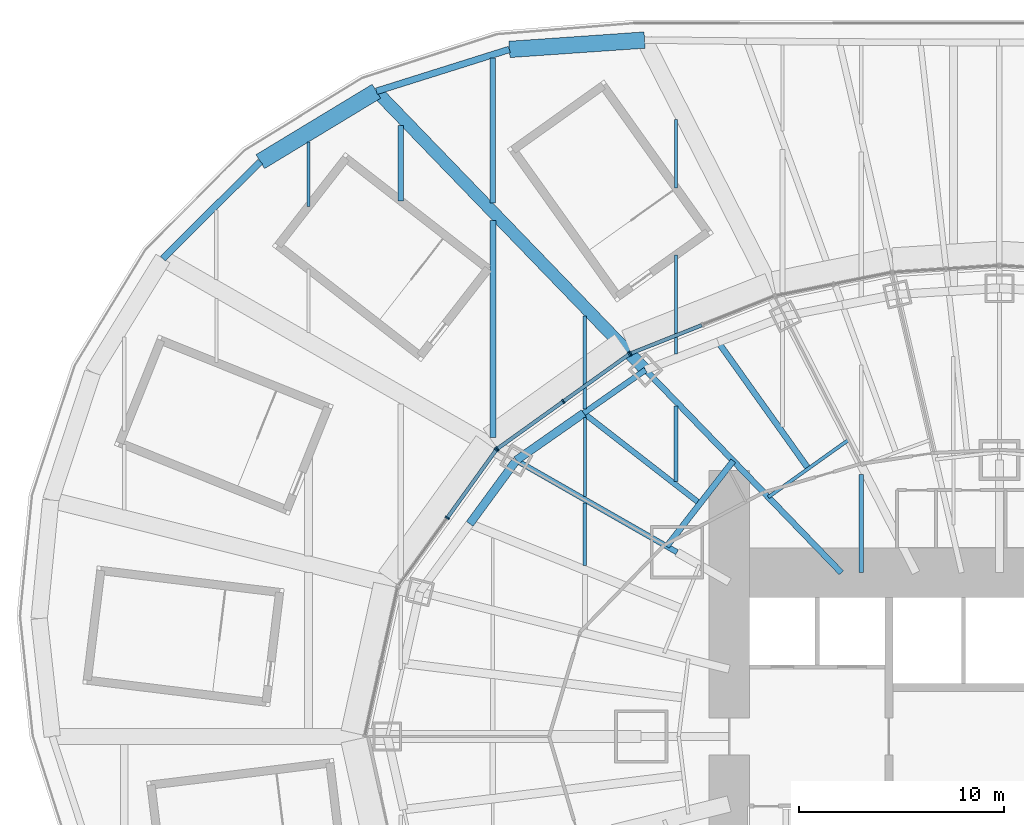
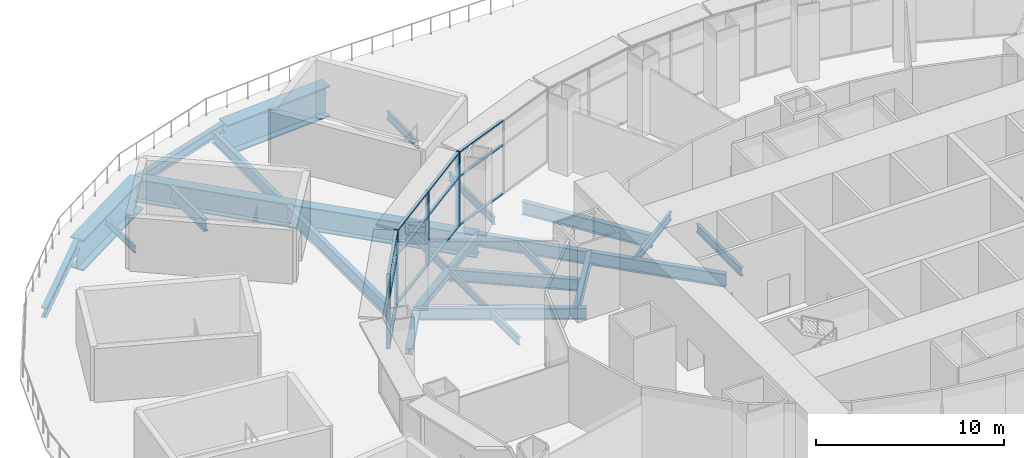
# One storey, part 6 of 25: 25 beams, 18 members, 3 elements without a shape of their own.
"""IFC4 building model written with IfcOpenShell, lengths in metres."""

import ifcopenshell
import ifcopenshell.guid

model = None  # the IFC model being written
_history = None  # IfcOwnerHistory: only IFC2X3 demands one
_inside = {}  # id of a spatial element -> (the spatial element, [elements in it])
_under = {}  # id of a project, library or spatial element -> (it, [spatial elements below it])
_declared = {}  # id of a project -> (the project, [libraries it declares])
_typed = {}  # id of a type object -> (the type object, [elements of that type])
_made_of = {}  # id of a material, layer set ... -> (it, [elements and type objects made of it])


def new_model(schema):
    """Start an empty IFC model of exactly this schema.

    Asked for "IFC4X3", IfcOpenShell would pick the latest addendum, in which some entities
    have other attributes; the version numbers below select the first issue.
    IFC2X3 requires an IfcOwnerHistory on every rooted entity: one is made here for all.
    """
    global model, _history
    if schema == "IFC4X3":
        model = ifcopenshell.file(schema_version=(4, 3, 0, 0))
    else:
        model = ifcopenshell.file(schema=schema)
    _inside.clear()
    _under.clear()
    _declared.clear()
    _typed.clear()
    _made_of.clear()
    _history = None
    if model.schema == "IFC2X3":
        org = make("IfcOrganization", Name="unknown")
        user = make(
            "IfcPersonAndOrganization",
            ThePerson=make("IfcPerson", FamilyName="unknown"),
            TheOrganization=org,
        )
        app = make(
            "IfcApplication",
            ApplicationDeveloper=org,
            Version="unknown",
            ApplicationFullName="unknown",
            ApplicationIdentifier="unknown",
        )
        _history = make(
            "IfcOwnerHistory",
            OwningUser=user,
            OwningApplication=app,
            ChangeAction="ADDED",
            CreationDate=0,
        )
    return model


def make(cls, **values):
    """One entity of the class cls with the attributes given. An attribute that is None is left unset."""
    return model.create_entity(
        cls, **{name: value for name, value in values.items() if value is not None}
    )


def rooted(cls, **values):
    """An entity with a GlobalId (a new one), such as an element, a storey or a relation."""
    return make(cls, GlobalId=ifcopenshell.guid.new(), OwnerHistory=_history, **values)


def si_unit(unit_type, name, prefix=None):
    """IfcSIUnit, for example si_unit("LENGTHUNIT", "METRE", prefix="MILLI")."""
    return make("IfcSIUnit", UnitType=unit_type, Prefix=prefix, Name=name)


def assignment(units):
    """IfcUnitAssignment: the units of a project."""
    return None if units is None else make("IfcUnitAssignment", Units=units)


def point(xyz):
    """IfcCartesianPoint."""
    return None if xyz is None else make("IfcCartesianPoint", Coordinates=xyz)


def direction(xyz):
    """IfcDirection."""
    return None if xyz is None else make("IfcDirection", DirectionRatios=xyz)


def frame(location, z_axis=None, x_axis=None):
    """IfcAxis2Placement3D, a coordinate frame: its origin and axes. An axis left out is left unset."""
    return make(
        "IfcAxis2Placement3D",
        Location=point(location),
        Axis=direction(z_axis),
        RefDirection=direction(x_axis),
    )


def frame_2d(location, x_axis=None):
    """IfcAxis2Placement2D, a coordinate frame in the plane: its origin and x axis."""
    return make(
        "IfcAxis2Placement2D", Location=point(location), RefDirection=direction(x_axis)
    )


def origin():
    """The frame at (0, 0, 0) with its axes left unset."""
    return frame((0.0, 0.0, 0.0))


def origin_2d():
    """The frame at (0, 0) in the plane with its x axis left unset."""
    return frame_2d((0.0, 0.0))


def place(relative_to, where):
    """IfcLocalPlacement: puts the frame where relative to a parent placement (None: the world)."""
    return make(
        "IfcLocalPlacement", PlacementRelTo=relative_to, RelativePlacement=where
    )


def context(
    kind, dimensions, precision=None, world=None, true_north=None, identifier=None
):
    """IfcGeometricRepresentationContext, for example the 3D "Model" context."""
    return make(
        "IfcGeometricRepresentationContext",
        ContextIdentifier=identifier,
        ContextType=kind,
        CoordinateSpaceDimension=dimensions,
        Precision=precision,
        WorldCoordinateSystem=world,
        TrueNorth=true_north,
    )


def subcontext(parent, identifier, kind, view, scale=None):
    """IfcGeometricRepresentationSubContext, for example "Body" below "Model"."""
    return make(
        "IfcGeometricRepresentationSubContext",
        ContextIdentifier=identifier,
        ContextType=kind,
        ParentContext=parent,
        TargetScale=scale,
        TargetView=view,
    )


def project(units=None, contexts=None):
    """IfcProject with its units and contexts."""
    return rooted(
        "IfcProject",
        Name="project",
        RepresentationContexts=contexts,
        UnitsInContext=assignment(units),
    )


def spatial(cls, under=None, at=None, **own):
    """A site, building, storey or space (cls), placed at a placement, below another one or the project."""
    s = rooted(cls, ObjectPlacement=at, **own)
    if under is not None:
        _under.setdefault(under.id(), (under, []))[1].append(s)
    return s


def profile(cls, at=None, kind="AREA", **sizes):
    """A parametric profile (cls). Its sizes go by their IFC names, for example OverallWidth=200.0."""
    return make(cls, ProfileType=kind, Position=at, **sizes)


def rectangle(**sizes):
    """IfcRectangleProfileDef."""
    return profile("IfcRectangleProfileDef", **sizes)


def i_section(**sizes):
    """IfcIShapeProfileDef."""
    return profile("IfcIShapeProfileDef", **sizes)


def extrude(swept, where, along, depth):
    """IfcExtrudedAreaSolid: the profile swept, set in the frame where, extruded along a direction by depth."""
    return make(
        "IfcExtrudedAreaSolid",
        SweptArea=swept,
        Position=where,
        ExtrudedDirection=direction(along),
        Depth=depth,
    )


def shape(context_of_items, identifier, shape_type, items):
    """IfcShapeRepresentation: the items that make up one representation, for example the "Body"."""
    return make(
        "IfcShapeRepresentation",
        ContextOfItems=context_of_items,
        RepresentationIdentifier=identifier,
        RepresentationType=shape_type,
        Items=items,
    )


def material(Name=None, Category=None):
    """IfcMaterial."""
    return make("IfcMaterial", Name=Name, Category=Category)


def material_profile(
    of_material, cross_section, Name=None, Category=None, Priority=None
):
    """IfcMaterialProfile: a cross section and its material."""
    return make(
        "IfcMaterialProfile",
        Name=Name,
        Material=of_material,
        Profile=cross_section,
        Priority=Priority,
        Category=Category,
    )


def profile_set(profiles, Name=None, composite=None):
    """IfcMaterialProfileSet."""
    return make(
        "IfcMaterialProfileSet",
        Name=Name,
        MaterialProfiles=profiles,
        CompositeProfile=composite,
    )


def made_of(thing, what):
    """Note that an element or type object is made of a material, layer set ...; save() writes the relation."""
    if what is not None:
        _made_of.setdefault(what.id(), (what, []))[1].append(thing)
    return thing


def type_object(cls, material=None, **own):
    """A type object (cls), such as IfcWallType, which elements share."""
    return made_of(rooted(cls, **own), material)


def element(
    cls,
    number,
    at=None,
    inside=None,
    cuts=None,
    type_object=None,
    material=None,
    context=None,
    identifier="Body",
    shape_type=None,
    held_by="IfcProductDefinitionShape",
    body=None,
    shapes=None,
    **own,
):
    """One element of the class cls, such as IfcWall. Its Tag is "e" and its number.

    at: its placement. inside: the storey or other place that contains it. cuts: it is an
    opening in that element (IfcRelVoidsElement). A single representation is given by context,
    identifier, shape_type and body (its items); several are given by shapes. held_by: the class
    of the entity that holds the representations. save() writes the other relations.
    """
    e = rooted(cls, Tag="e%d" % number, ObjectPlacement=at, **own)
    if body is not None:
        shapes = [shape(context, identifier, shape_type, body)]
    if shapes is not None:
        e.Representation = make(held_by, Representations=shapes)
    if inside is not None:
        _inside.setdefault(inside.id(), (inside, []))[1].append(e)
    if cuts is not None:
        rooted(
            "IfcRelVoidsElement", RelatingBuildingElement=cuts, RelatedOpeningElement=e
        )
    if type_object is not None:
        _typed.setdefault(type_object.id(), (type_object, []))[1].append(e)
    return made_of(e, material)


def aggregate(whole, parts):
    """IfcRelAggregates: a whole, such as a stair, and the parts it consists of."""
    return rooted("IfcRelAggregates", RelatingObject=whole, RelatedObjects=parts)


def save(model, path):
    """Write the relations noted so far, then the file.

    IfcRelAggregates (storeys below a building ...), IfcRelContainedInSpatialStructure (elements
    in a storey), IfcRelDefinesByType, IfcRelAssociatesMaterial and IfcRelDeclares: one each for
    every whole, place, type object, material and project.
    """
    for whole, parts in _under.values():
        aggregate(whole, parts)
    for where, things in _inside.values():
        rooted(
            "IfcRelContainedInSpatialStructure",
            RelatedElements=things,
            RelatingStructure=where,
        )
    for kind, things in _typed.values():
        rooted("IfcRelDefinesByType", RelatedObjects=things, RelatingType=kind)
    for what, things in _made_of.values():
        rooted("IfcRelAssociatesMaterial", RelatedObjects=things, RelatingMaterial=what)
    for by, libraries in _declared.values():
        rooted("IfcRelDeclares", RelatingContext=by, RelatedDefinitions=libraries)
    model.write(path)


model = new_model("IFC4")

# Units and contexts
model_context = context("Model", 3, precision=1e-05, world=origin(), true_north=direction((0.0, 1.0)))
body_context = subcontext(model_context, "Body", "Model", "MODEL_VIEW")
ifc_project = project(units=[si_unit("LENGTHUNIT", "METRE"), si_unit("AREAUNIT", "SQUARE_METRE"), si_unit("VOLUMEUNIT", "CUBIC_METRE"), si_unit("PLANEANGLEUNIT", "RADIAN"), si_unit("MASSUNIT", "GRAM", prefix="KILO")], contexts=[model_context])

# Site, building, storey
site_placement = place(None, origin())
site = spatial("IfcSite", under=ifc_project, at=site_placement, CompositionType="ELEMENT")
building_placement = place(site_placement, origin())
building = spatial("IfcBuilding", under=site, at=building_placement, Name="Lantaw Convention Tower", CompositionType="ELEMENT")
storey_placement = place(building_placement, frame((0.0, 0.0, 32.0)))
storey = spatial("IfcBuildingStorey", under=building, at=storey_placement, Name="L05", CompositionType="ELEMENT", Elevation=32.0)

# Beams
ifc_material_1 = material(Name="Steel ASTM A572 Grade 50", Category="steel")
ifc_material_profile_1 = material_profile(ifc_material_1, i_section(OverallWidth=0.800048828125, OverallDepth=2.0, WebThickness=0.030029296875, FlangeThickness=0.080078125, at=origin_2d()), Name="PG2000X800X30X80")
ifc_profile_set_1 = profile_set([ifc_material_profile_1], Name="Steel ASTM A572 Grade 50")
beam_type_1 = type_object("IfcBeamType", Name="Beam E PG2000X800X30X80", PredefinedType="SPANDREL", material=ifc_profile_set_1)
beam_1_placement = place(storey_placement, frame((-17.333984375, 34.019775390625, -1.199951171875), z_axis=(-0.997615470709, -0.069017190627, 0.0), x_axis=(0.069017190627, -0.997615470709, 0.0)))
element("IfcBeam", 1, at=beam_1_placement, inside=storey, type_object=beam_type_1, Name="Podium edge beam R08", PredefinedType="SPANDREL", context=body_context, shape_type="SweptSolid", body=[
    extrude(i_section(OverallWidth=0.800048828125, OverallDepth=2.0, WebThickness=0.030029296875, FlangeThickness=0.080078125, at=origin_2d()), origin(), (0.0, 0.0, 1.0), 6.6220703125),
])
beam_2_placement = place(storey_placement, frame((-30.43603515625, 31.517578125, -1.199951171875), z_axis=(-0.855269526547, -0.518183400893, 0.0), x_axis=(0.518183400893, -0.855269526547, 0.0)))
element("IfcBeam", 2, at=beam_2_placement, inside=storey, type_object=beam_type_1, Name="Podium edge beam R09", PredefinedType="SPANDREL", context=body_context, shape_type="SweptSolid", body=[
    extrude(i_section(OverallWidth=0.800048828125, OverallDepth=2.0, WebThickness=0.030029296875, FlangeThickness=0.080078125, at=origin_2d()), origin(), (0.0, 0.0, 1.0), 6.63134765625),
])
ifc_material_2 = material(Name="Steel ASTM A992", Category="steel")
ifc_material_profile_2 = material_profile(ifc_material_2, i_section(OverallWidth=0.40380859375, OverallDepth=0.406494140625, WebThickness=0.027099609375, FlangeThickness=0.043701171875, FilletRadius=0.01513671875, at=origin_2d()), Name="W14X233")
ifc_profile_set_2 = profile_set([ifc_material_profile_2], Name="Steel ASTM A992")
beam_type_2 = type_object("IfcBeamType", Name="Beam E W14X233", PredefinedType="SPANDREL", material=ifc_profile_set_2)
beam_3_placement = place(storey_placement, frame((-20.30859375, 15.794189453125, -0.4033203125), z_axis=(-0.819442856133, -0.573160889744, 0.0), x_axis=(0.573160889744, -0.819442856133, 0.0)))
element("IfcBeam", 3, at=beam_3_placement, inside=storey, type_object=beam_type_2, Name="Edge beam 10", PredefinedType="SPANDREL", context=body_context, shape_type="SweptSolid", body=[
    extrude(i_section(OverallWidth=0.40380859375, OverallDepth=0.406494140625, WebThickness=0.027099609375, FlangeThickness=0.043701171875, FilletRadius=0.01513671875, at=origin_2d()), origin(), (0.0, 0.0, 1.0), 4.022705078125),
])
beam_4_placement = place(storey_placement, frame((-23.60498046875, 13.488525390625, -0.4033203125), z_axis=(-0.591286566758, -0.806461527893, 0.0), x_axis=(0.806461527893, -0.591286566758, 0.0)))
element("IfcBeam", 4, at=beam_4_placement, inside=storey, type_object=beam_type_2, Name="Edge beam 11", PredefinedType="SPANDREL", context=body_context, shape_type="SweptSolid", body=[
    extrude(i_section(OverallWidth=0.40380859375, OverallDepth=0.406494140625, WebThickness=0.027099609375, FlangeThickness=0.043701171875, FilletRadius=0.01513671875, at=origin_2d()), origin(), (0.0, 0.0, 1.0), 3.843994140625),
])
ifc_material_profile_3 = material_profile(ifc_material_2, i_section(OverallWidth=0.279296875, OverallDepth=0.462158203125, WebThickness=0.0107421875, FlangeThickness=0.017333984375, FilletRadius=0.01025390625, at=origin_2d()), Name="W18X76")
ifc_profile_set_3 = profile_set([ifc_material_profile_3], Name="Steel ASTM A992")
beam_type_3 = type_object("IfcBeamType", Name="Beam E W18X76", PredefinedType="SPANDREL", material=ifc_profile_set_3)
beam_5_placement = place(storey_placement, frame((-17.290771484375, 17.9052734375, -0.43115234375), z_axis=(-0.819409395821, -0.573208724672, 0.0), x_axis=(0.573208724672, -0.819409395821, 0.0)))
element("IfcBeam", 5, at=beam_5_placement, inside=storey, type_object=beam_type_3, Name="Edge beam 10", PredefinedType="SPANDREL", context=body_context, shape_type="SweptSolid", body=[
    extrude(i_section(OverallWidth=0.279296875, OverallDepth=0.462158203125, WebThickness=0.0107421875, FlangeThickness=0.017333984375, FilletRadius=0.01025390625, at=origin_2d()), origin(), (0.0, 0.0, 1.0), 3.682861328125),
])
ifc_material_profile_4 = material_profile(ifc_material_2, i_section(OverallWidth=0.3251953125, OverallDepth=0.612060546875, WebThickness=0.0126953125, FlangeThickness=0.01904296875, FilletRadius=0.0126953125, at=origin_2d()), Name="W24X104")
ifc_profile_set_4 = profile_set([ifc_material_profile_4], Name="Steel ASTM A992")
beam_type_4 = type_object("IfcBeamType", Name="Beam E W24X104", PredefinedType="SPANDREL", material=ifc_profile_set_4)
beam_6_placement = place(storey_placement, frame((-23.940185546875, 33.562744140625, -0.506103515625), z_axis=(-0.953841834513, -0.300309431643, 0.0), x_axis=(0.300309431643, -0.953841834513, 0.0)))
element("IfcBeam", 6, at=beam_6_placement, inside=storey, type_object=beam_type_4, Name="Podium edge beam B08", PredefinedType="SPANDREL", context=body_context, shape_type="SweptSolid", body=[
    extrude(i_section(OverallWidth=0.3251953125, OverallDepth=0.612060546875, WebThickness=0.0126953125, FlangeThickness=0.01904296875, FilletRadius=0.0126953125, at=origin_2d()), origin(), (0.0, 0.0, 1.0), 6.810302734375),
])
beam_7_placement = place(storey_placement, frame((-36.107666015625, 28.081298828125, -0.506103515625), z_axis=(-0.709033046271, -0.705175254314, 0.0), x_axis=(0.705175254314, -0.709033046271, 0.0)))
element("IfcBeam", 7, at=beam_7_placement, inside=storey, type_object=beam_type_4, Name="Podium edge beam B09", PredefinedType="SPANDREL", context=body_context, shape_type="SweptSolid", body=[
    extrude(i_section(OverallWidth=0.3251953125, OverallDepth=0.612060546875, WebThickness=0.0126953125, FlangeThickness=0.01904296875, FilletRadius=0.0126953125, at=origin_2d()), origin(), (0.0, 0.0, 1.0), 6.708251953125),
])
ifc_material_profile_5 = material_profile(ifc_material_2, i_section(OverallWidth=0.2666015625, OverallDepth=0.76953125, WebThickness=0.015625, FlangeThickness=0.025390625, FilletRadius=0.0126953125, at=origin_2d()), Name="W30X132")
ifc_profile_set_5 = profile_set([ifc_material_profile_5], Name="Steel ASTM A992")
beam_type_5 = type_object("IfcBeamType", Name="Beam G W30X132", PredefinedType="BEAM", material=ifc_profile_set_5)
beam_8_placement = place(storey_placement, frame((-14.628173828125, 11.37646484375, -0.584716796875), z_axis=(-0.789377792374, 0.613907729961, 0.0), x_axis=(-0.613907729961, -0.789377792374, 0.0)))
element("IfcBeam", 8, at=beam_8_placement, inside=storey, type_object=beam_type_5, Name="Floor girder on bisector 10", PredefinedType="BEAM", context=body_context, shape_type="SweptSolid", body=[
    extrude(i_section(OverallWidth=0.2666015625, OverallDepth=0.76953125, WebThickness=0.015625, FlangeThickness=0.025390625, FilletRadius=0.0126953125, at=origin_2d()), origin(), (0.0, 0.0, 1.0), 7.196044921875),
])
beam_9_placement = place(storey_placement, frame((-15.75, 9.0, -0.584716796875), z_axis=(-0.868244802791, 0.496136032179, 0.0), x_axis=(-0.496136032179, -0.868244802791, 0.0)))
element("IfcBeam", 9, at=beam_9_placement, inside=storey, type_object=beam_type_5, Name="Floor girder on ray 11", PredefinedType="BEAM", context=body_context, shape_type="SweptSolid", body=[
    extrude(i_section(OverallWidth=0.2666015625, OverallDepth=0.76953125, WebThickness=0.015625, FlangeThickness=0.025390625, FilletRadius=0.0126953125, at=origin_2d()), origin(), (0.0, 0.0, 1.0), 9.046875),
])
ifc_material_profile_6 = material_profile(ifc_material_2, i_section(OverallWidth=0.2919921875, OverallDepth=0.845703125, WebThickness=0.015380859375, FlangeThickness=0.0244140625, FilletRadius=0.01513671875, at=origin_2d()), Name="W33X141")
ifc_profile_set_6 = profile_set([ifc_material_profile_6], Name="Steel ASTM A992")
beam_type_6 = type_object("IfcBeamType", Name="Beam G W33X141", PredefinedType="BEAM", material=ifc_profile_set_6)
beam_10_placement = place(storey_placement, frame((-9.335693359375, 13.088134765625, -0.622802734375), z_axis=(-0.580702805158, 0.814115625745, 0.0), x_axis=(-0.814115625745, -0.580702805158, 0.0)))
element("IfcBeam", 10, at=beam_10_placement, inside=storey, type_object=beam_type_6, Name="Floor girder on bisector 9", PredefinedType="BEAM", context=body_context, shape_type="SweptSolid", body=[
    extrude(i_section(OverallWidth=0.2919921875, OverallDepth=0.845703125, WebThickness=0.015380859375, FlangeThickness=0.0244140625, FilletRadius=0.01513671875, at=origin_2d()), origin(), (0.0, 0.0, 1.0), 7.59375),
])
beam_11_placement = place(storey_placement, frame((-7.7255859375, 8.0, -0.622802734375), z_axis=(-0.694649884291, 0.719347995239, 0.0), x_axis=(-0.719347995239, -0.694649884291, 0.0)))
element("IfcBeam", 11, at=beam_11_placement, inside=storey, type_object=beam_type_6, Name="Floor girder on ray 10", PredefinedType="BEAM", context=body_context, shape_type="SweptSolid", body=[
    extrude(i_section(OverallWidth=0.2919921875, OverallDepth=0.845703125, WebThickness=0.015380859375, FlangeThickness=0.0244140625, FilletRadius=0.01513671875, at=origin_2d()), origin(), (0.0, 0.0, 1.0), 13.769775390625),
])
ifc_material_profile_7 = material_profile(ifc_material_2, i_section(OverallWidth=0.1650390625, OverallDepth=0.52587890625, WebThickness=0.0087890625, FlangeThickness=0.011474609375, FilletRadius=0.0126953125, at=origin_2d()), Name="W21X44")
ifc_profile_set_7 = profile_set([ifc_material_profile_7], Name="Steel ASTM A992")
beam_type_7 = type_object("IfcBeamType", Name="Beam HC W21X44", PredefinedType="BEAM", material=ifc_profile_set_7)
beam_12_placement = place(storey_placement, frame((-7.379638671875, 14.4833984375, -0.462890625), z_axis=(-0.814110909588, -0.580709416912, 0.0), x_axis=(0.580709416912, -0.814110909588, 0.0)))
element("IfcBeam", 12, at=beam_12_placement, inside=storey, type_object=beam_type_7, Name="Collar beam on bisector 9", PredefinedType="BEAM", context=body_context, shape_type="SweptSolid", body=[
    extrude(i_section(OverallWidth=0.1650390625, OverallDepth=0.52587890625, WebThickness=0.0087890625, FlangeThickness=0.011474609375, FilletRadius=0.0126953125, at=origin_2d()), origin(), (0.0, 0.0, 1.0), 4.805419921875),
])
ifc_material_profile_8 = material_profile(ifc_material_2, i_section(OverallWidth=0.2919921875, OverallDepth=0.845703125, WebThickness=0.015380859375, FlangeThickness=0.0244140625, FilletRadius=0.01513671875, at=origin_2d()), Name="W33X141")
ifc_profile_set_8 = profile_set([ifc_material_profile_8], Name="Steel ASTM A992")
beam_type_8 = type_object("IfcBeamType", Name="Beam HC W33X141", PredefinedType="BEAM", material=ifc_profile_set_8)
beam_13_placement = place(storey_placement, frame((-13.00341796875, 13.465576171875, -0.622802734375), z_axis=(-0.613915067401, -0.789372085913, 0.0), x_axis=(0.789372085913, -0.613915067401, 0.0)))
element("IfcBeam", 13, at=beam_13_placement, inside=storey, type_object=beam_type_8, Name="Collar beam on bisector 10", PredefinedType="BEAM", context=body_context, shape_type="SweptSolid", body=[
    extrude(i_section(OverallWidth=0.2919921875, OverallDepth=0.845703125, WebThickness=0.015380859375, FlangeThickness=0.0244140625, FilletRadius=0.01513671875, at=origin_2d()), origin(), (0.0, 0.0, 1.0), 5.293212890625),
])
ifc_material_profile_9 = material_profile(ifc_material_2, i_section(OverallWidth=0.15234375, OverallDepth=0.449462890625, WebThickness=0.007568359375, FlangeThickness=0.0107421875, FilletRadius=0.01025390625, at=origin_2d()), Name="W18X35")
ifc_profile_set_9 = profile_set([ifc_material_profile_9], Name="Steel ASTM A992")
beam_type_9 = type_object("IfcBeamType", Name="Beam J W18X35", PredefinedType="JOIST", material=ifc_profile_set_9)
beam_14_placement = place(storey_placement, frame((-33.75, 25.900390625, -0.4248046875), z_axis=(0.0, 1.0, 0.0), x_axis=(-1.0, 0.0, 0.0)))
element("IfcBeam", 14, at=beam_14_placement, inside=storey, type_object=beam_type_9, Name="Floor joist", PredefinedType="JOIST", context=body_context, shape_type="SweptSolid", body=[
    extrude(i_section(OverallWidth=0.15234375, OverallDepth=0.449462890625, WebThickness=0.007568359375, FlangeThickness=0.0107421875, FilletRadius=0.01025390625, at=origin_2d()), origin(), (0.0, 0.0, 1.0), 3.1416015625),
])
beam_15_placement = place(storey_placement, frame((-20.25, 11.72509765625, -0.4248046875), z_axis=(0.0, 1.0, 0.0), x_axis=(-1.0, 0.0, 0.0)))
element("IfcBeam", 15, at=beam_15_placement, inside=storey, type_object=beam_type_9, Name="Floor joist", PredefinedType="JOIST", context=body_context, shape_type="SweptSolid", body=[
    extrude(i_section(OverallWidth=0.15234375, OverallDepth=0.449462890625, WebThickness=0.007568359375, FlangeThickness=0.0107421875, FilletRadius=0.01025390625, at=origin_2d()), origin(), (0.0, 0.0, 1.0), 3.8544921875),
])
ifc_material_profile_10 = material_profile(ifc_material_2, i_section(OverallWidth=0.1904296875, OverallDepth=0.457275390625, WebThickness=0.009033203125, FlangeThickness=0.014404296875, FilletRadius=0.01025390625, at=origin_2d()), Name="W18X50")
ifc_profile_set_10 = profile_set([ifc_material_profile_10], Name="Steel ASTM A992")
beam_type_10 = type_object("IfcBeamType", Name="Beam J W18X50", PredefinedType="JOIST", material=ifc_profile_set_10)
beam_16_placement = place(storey_placement, frame((-15.800048828125, 12.456787109375, -0.4287109375), z_axis=(0.0, 1.0, 0.0), x_axis=(-1.0, 0.0, 0.0)))
element("IfcBeam", 16, at=beam_16_placement, inside=storey, type_object=beam_type_10, Name="Floor joist", PredefinedType="JOIST", context=body_context, shape_type="SweptSolid", body=[
    extrude(i_section(OverallWidth=0.1904296875, OverallDepth=0.457275390625, WebThickness=0.009033203125, FlangeThickness=0.014404296875, FilletRadius=0.01025390625, at=origin_2d()), origin(), (0.0, 0.0, 1.0), 3.6943359375),
])
ifc_material_profile_11 = material_profile(ifc_material_2, i_section(OverallWidth=0.1650390625, OverallDepth=0.52587890625, WebThickness=0.0087890625, FlangeThickness=0.011474609375, FilletRadius=0.0126953125, at=origin_2d()), Name="W21X44")
ifc_profile_set_11 = profile_set([ifc_material_profile_11], Name="Steel ASTM A992")
beam_type_11 = type_object("IfcBeamType", Name="Beam J W21X44", PredefinedType="JOIST", material=ifc_profile_set_11)
beam_17_placement = place(storey_placement, frame((-20.25, 8.3564453125, -0.462890625), z_axis=(0.0, 1.0, 0.0), x_axis=(-1.0, 0.0, 0.0)))
element("IfcBeam", 17, at=beam_17_placement, inside=storey, type_object=beam_type_11, Name="Floor joist", PredefinedType="JOIST", context=body_context, shape_type="SweptSolid", body=[
    extrude(i_section(OverallWidth=0.1650390625, OverallDepth=0.52587890625, WebThickness=0.0087890625, FlangeThickness=0.011474609375, FilletRadius=0.0126953125, at=origin_2d()), origin(), (0.0, 0.0, 1.0), 3.0615234375),
])
beam_18_placement = place(storey_placement, frame((-20.25, 16.005859375, -0.462890625), z_axis=(0.0, 1.0, 0.0), x_axis=(-1.0, 0.0, 0.0)))
element("IfcBeam", 18, at=beam_18_placement, inside=storey, type_object=beam_type_11, Name="Floor joist", PredefinedType="JOIST", context=body_context, shape_type="SweptSolid", body=[
    extrude(i_section(OverallWidth=0.1650390625, OverallDepth=0.52587890625, WebThickness=0.0087890625, FlangeThickness=0.011474609375, FilletRadius=0.0126953125, at=origin_2d()), origin(), (0.0, 0.0, 1.0), 4.53173828125),
])
beam_19_placement = place(storey_placement, frame((-15.800048828125, 18.695556640625, -0.462890625), z_axis=(0.0, 1.0, 0.0), x_axis=(-1.0, 0.0, 0.0)))
element("IfcBeam", 19, at=beam_19_placement, inside=storey, type_object=beam_type_11, Name="Floor joist", PredefinedType="JOIST", context=body_context, shape_type="SweptSolid", body=[
    extrude(i_section(OverallWidth=0.1650390625, OverallDepth=0.52587890625, WebThickness=0.0087890625, FlangeThickness=0.011474609375, FilletRadius=0.0126953125, at=origin_2d()), origin(), (0.0, 0.0, 1.0), 4.828125),
])
ifc_material_profile_12 = material_profile(ifc_material_2, i_section(OverallWidth=0.165771484375, OverallDepth=0.5283203125, WebThickness=0.009765625, FlangeThickness=0.013671875, FilletRadius=0.012939453125, at=origin_2d()), Name="W21X50")
ifc_profile_set_12 = profile_set([ifc_material_profile_12], Name="Steel ASTM A992")
beam_type_12 = type_object("IfcBeamType", Name="Beam J W21X50", PredefinedType="JOIST", material=ifc_profile_set_12)
beam_20_placement = place(storey_placement, frame((-15.800048828125, 26.80029296875, -0.464111328125), z_axis=(0.0, 1.0, 0.0), x_axis=(-1.0, 0.0, 0.0)))
element("IfcBeam", 20, at=beam_20_placement, inside=storey, type_object=beam_type_12, Name="Floor joist", PredefinedType="JOIST", context=body_context, shape_type="SweptSolid", body=[
    extrude(i_section(OverallWidth=0.165771484375, OverallDepth=0.5283203125, WebThickness=0.009765625, FlangeThickness=0.013671875, FilletRadius=0.012939453125, at=origin_2d()), origin(), (0.0, 0.0, 1.0), 3.327880859375),
])
ifc_material_profile_13 = material_profile(ifc_material_2, i_section(OverallWidth=0.209228515625, OverallDepth=0.533447265625, WebThickness=0.01025390625, FlangeThickness=0.015625, FilletRadius=0.012939453125, at=origin_2d()), Name="W21X62")
ifc_profile_set_13 = profile_set([ifc_material_profile_13], Name="Steel ASTM A992")
beam_type_13 = type_object("IfcBeamType", Name="Beam J W21X62", PredefinedType="JOIST", material=ifc_profile_set_13)
beam_21_placement = place(storey_placement, frame((-6.75, 8.0, -0.466796875), z_axis=(0.0, 1.0, 0.0), x_axis=(-1.0, 0.0, 0.0)))
element("IfcBeam", 21, at=beam_21_placement, inside=storey, type_object=beam_type_13, Name="Floor joist", PredefinedType="JOIST", context=body_context, shape_type="SweptSolid", body=[
    extrude(i_section(OverallWidth=0.209228515625, OverallDepth=0.533447265625, WebThickness=0.01025390625, FlangeThickness=0.015625, FilletRadius=0.012939453125, at=origin_2d()), origin(), (0.0, 0.0, 1.0), 4.808349609375),
])
ifc_material_profile_14 = material_profile(ifc_material_2, i_section(OverallWidth=0.2666015625, OverallDepth=0.7568359375, WebThickness=0.013916015625, FlangeThickness=0.019287109375, FilletRadius=0.0126953125, at=origin_2d()), Name="W30X108")
ifc_profile_set_14 = profile_set([ifc_material_profile_14], Name="Steel ASTM A992")
beam_type_14 = type_object("IfcBeamType", Name="Beam J W30X108", PredefinedType="JOIST", material=ifc_profile_set_14)
beam_22_placement = place(storey_placement, frame((-24.75, 26.061279296875, -0.578369140625), z_axis=(0.0, 1.0, 0.0), x_axis=(-1.0, 0.0, 0.0)))
element("IfcBeam", 22, at=beam_22_placement, inside=storey, type_object=beam_type_14, Name="Floor joist", PredefinedType="JOIST", context=body_context, shape_type="SweptSolid", body=[
    extrude(i_section(OverallWidth=0.2666015625, OverallDepth=0.7568359375, WebThickness=0.013916015625, FlangeThickness=0.019287109375, FilletRadius=0.0126953125, at=origin_2d()), origin(), (0.0, 0.0, 1.0), 7.076171875),
])
ifc_material_profile_15 = material_profile(ifc_material_2, i_section(OverallWidth=0.2666015625, OverallDepth=0.76953125, WebThickness=0.015625, FlangeThickness=0.025390625, FilletRadius=0.0126953125, at=origin_2d()), Name="W30X132")
ifc_profile_set_15 = profile_set([ifc_material_profile_15], Name="Steel ASTM A992")
beam_type_15 = type_object("IfcBeamType", Name="Beam J W30X132", PredefinedType="JOIST", material=ifc_profile_set_15)
beam_23_placement = place(storey_placement, frame((-29.25, 26.16845703125, -0.584716796875), z_axis=(0.0, 1.0, 0.0), x_axis=(-1.0, 0.0, 0.0)))
element("IfcBeam", 23, at=beam_23_placement, inside=storey, type_object=beam_type_15, Name="Floor joist", PredefinedType="JOIST", context=body_context, shape_type="SweptSolid", body=[
    extrude(i_section(OverallWidth=0.2666015625, OverallDepth=0.76953125, WebThickness=0.015625, FlangeThickness=0.025390625, FilletRadius=0.0126953125, at=origin_2d()), origin(), (0.0, 0.0, 1.0), 3.68896484375),
])
ifc_material_profile_16 = material_profile(ifc_material_2, i_section(OverallWidth=0.2919921875, OverallDepth=0.845703125, WebThickness=0.015380859375, FlangeThickness=0.0244140625, FilletRadius=0.01513671875, at=origin_2d()), Name="W33X141")
ifc_profile_set_16 = profile_set([ifc_material_profile_16], Name="Steel ASTM A992")
beam_type_16 = type_object("IfcBeamType", Name="Beam J W33X141", PredefinedType="JOIST", material=ifc_profile_set_16)
beam_24_placement = place(storey_placement, frame((-24.75, 14.603515625, -0.622802734375), z_axis=(0.0, 1.0, 0.0), x_axis=(-1.0, 0.0, 0.0)))
element("IfcBeam", 24, at=beam_24_placement, inside=storey, type_object=beam_type_16, Name="Floor joist", PredefinedType="JOIST", context=body_context, shape_type="SweptSolid", body=[
    extrude(i_section(OverallWidth=0.2919921875, OverallDepth=0.845703125, WebThickness=0.015380859375, FlangeThickness=0.0244140625, FilletRadius=0.01513671875, at=origin_2d()), origin(), (0.0, 0.0, 1.0), 10.593994140625),
])
ifc_material_profile_17 = material_profile(ifc_material_1, i_section(OverallWidth=0.60009765625, OverallDepth=1.5, WebThickness=0.02490234375, FlangeThickness=0.06005859375, at=origin_2d()), Name="PG1500X600X25X60")
ifc_profile_set_17 = profile_set([ifc_material_profile_17], Name="Steel ASTM A572 Grade 50")
beam_type_17 = type_object("IfcBeamType", Name="Beam PG PG1500X600X25X60", PredefinedType="BEAM", material=ifc_profile_set_17)
beam_25_placement = place(storey_placement, frame((-17.290771484375, 17.9052734375, -0.949951171875), z_axis=(-0.694658748795, 0.719339434984, 0.0), x_axis=(-0.719339434984, -0.694658748795, 0.0)))
element("IfcBeam", 25, at=beam_25_placement, inside=storey, type_object=beam_type_17, Name="Podium girder PR10", PredefinedType="BEAM", context=body_context, shape_type="SweptSolid", body=[
    extrude(i_section(OverallWidth=0.60009765625, OverallDepth=1.5, WebThickness=0.02490234375, FlangeThickness=0.06005859375, at=origin_2d()), origin(), (0.0, 0.0, 1.0), 18.92333984375),
])

# Curtain wall, member
ifc_material_3 = material(Name="Aluminium framed curtain wall", Category="aluminium")
curtain_wall_type = type_object("IfcCurtainWallType", Name="Sky lobby curtain wall L05, pale aluminium", PredefinedType="USERDEFINED", material=ifc_material_3)
curtain_wall_1_placement = place(storey_placement, origin())
curtain_wall_1 = element("IfcCurtainWall", 26, at=curtain_wall_1_placement, inside=storey, type_object=curtain_wall_type, Name="Sky lobby curtain wall L05, pale aluminium L05", ObjectType="STICK CURTAIN WALL", PredefinedType="USERDEFINED")
ifc_material_4 = material(Name="Aluminium 6063-T6", Category="aluminium")
ifc_material_profile_18 = material_profile(ifc_material_4, rectangle(XDim=0.22509765625, YDim=0.074951171875, at=origin_2d()), Name="CW-HL mullion 75x225")
ifc_profile_set_18 = profile_set([ifc_material_profile_18], Name="Aluminium 6063-T6")
member_type_1 = type_object("IfcMemberType", Name="CW-HL mullion 75x225", PredefinedType="MULLION", material=ifc_profile_set_18)
member_1_placement = place(storey_placement, frame((-18.02001953125, 18.710205078125, 0.0), z_axis=(0.0, 0.0, 1.0), x_axis=(0.369171840425, -0.929361152748, 0.0)))
member_1 = element("IfcMember", 27, at=member_1_placement, type_object=member_type_1, Name="CW-HL mullion 3", PredefinedType="MULLION", context=body_context, shape_type="SweptSolid", body=[
    extrude(rectangle(XDim=0.22509765625, YDim=0.074951171875, at=origin_2d()), origin(), (0.0, 0.0, 1.0), 4.85009765625),
])

# Curtain wall, members
curtain_wall_2_placement = place(storey_placement, origin())
curtain_wall_2 = element("IfcCurtainWall", 28, at=curtain_wall_2_placement, inside=storey, type_object=curtain_wall_type, Name="Sky lobby curtain wall L05, pale aluminium L05", ObjectType="STICK CURTAIN WALL", PredefinedType="USERDEFINED")
member_2_placement = place(storey_placement, frame((-18.08544921875, 18.674560546875, 0.0), z_axis=(0.0, 0.0, 1.0), x_axis=(0.5825376308, -0.812803733199, 0.0)))
member_2 = element("IfcMember", 29, at=member_2_placement, type_object=member_type_1, Name="CW-HL mullion 1", PredefinedType="MULLION", context=body_context, shape_type="SweptSolid", body=[
    extrude(rectangle(XDim=0.22509765625, YDim=0.074951171875, at=origin_2d()), origin(), (0.0, 0.0, 1.0), 4.85009765625),
])
member_3_placement = place(storey_placement, frame((-21.307373046875, 16.365478515625, 0.0), z_axis=(0.0, 0.0, 1.0), x_axis=(0.5825376308, -0.812803733199, 0.0)))
member_3 = element("IfcMember", 30, at=member_3_placement, type_object=member_type_1, Name="CW-HL mullion 2", PredefinedType="MULLION", context=body_context, shape_type="SweptSolid", body=[
    extrude(rectangle(XDim=0.22509765625, YDim=0.074951171875, at=origin_2d()), origin(), (0.0, 0.0, 1.0), 4.85009765625),
])
member_4_placement = place(storey_placement, frame((-24.529541015625, 14.05615234375, 0.0), z_axis=(0.0, 0.0, 1.0), x_axis=(0.5825376308, -0.812803733199, 0.0)))
member_4 = element("IfcMember", 31, at=member_4_placement, type_object=member_type_1, Name="CW-HL mullion 3", PredefinedType="MULLION", context=body_context, shape_type="SweptSolid", body=[
    extrude(rectangle(XDim=0.22509765625, YDim=0.074951171875, at=origin_2d()), origin(), (0.0, 0.0, 1.0), 4.85009765625),
])

curtain_wall_3_placement = place(storey_placement, origin())
curtain_wall_3 = element("IfcCurtainWall", 32, at=curtain_wall_3_placement, inside=storey, type_object=curtain_wall_type, Name="Sky lobby curtain wall L05, pale aluminium L05", ObjectType="STICK CURTAIN WALL", PredefinedType="USERDEFINED")
member_5_placement = place(storey_placement, frame((-24.581787109375, 14.00390625, 0.0), z_axis=(0.0, 0.0, 1.0), x_axis=(0.811788726895, -0.583951250436, 0.0)))
member_5 = element("IfcMember", 33, at=member_5_placement, type_object=member_type_1, Name="CW-HL mullion 1", PredefinedType="MULLION", context=body_context, shape_type="SweptSolid", body=[
    extrude(rectangle(XDim=0.22509765625, YDim=0.074951171875, at=origin_2d()), origin(), (0.0, 0.0, 1.0), 4.85009765625),
])
member_6_placement = place(storey_placement, frame((-26.97265625, 10.680419921875, 0.0), z_axis=(0.0, 0.0, 1.0), x_axis=(0.811788726895, -0.583951250436, 0.0)))
member_6 = element("IfcMember", 34, at=member_6_placement, type_object=member_type_1, Name="CW-HL mullion 2", PredefinedType="MULLION", context=body_context, shape_type="SweptSolid", body=[
    extrude(rectangle(XDim=0.22509765625, YDim=0.074951171875, at=origin_2d()), origin(), (0.0, 0.0, 1.0), 4.85009765625),
])

# Member
ifc_material_profile_19 = material_profile(ifc_material_4, rectangle(XDim=0.179931640625, YDim=0.074951171875, at=origin_2d()), Name="CW-HL transom 75x180")
ifc_profile_set_19 = profile_set([ifc_material_profile_19], Name="Aluminium 6063-T6")
member_type_2 = type_object("IfcMemberType", Name="CW-HL transom 75x180", PredefinedType="USERDEFINED", material=ifc_profile_set_19)
member_7_placement = place(storey_placement, frame((-14.543212890625, 20.09130859375, 0.03759765625), z_axis=(-0.929374081901, -0.369139290634, 0.0), x_axis=(0.369139290634, -0.929374081901, 0.0)))
member_7 = element("IfcMember", 35, at=member_7_placement, type_object=member_type_2, Name="CW-HL transom 2.1", ObjectType="TRANSOM", PredefinedType="USERDEFINED", context=body_context, shape_type="SweptSolid", body=[
    extrude(rectangle(XDim=0.179931640625, YDim=0.074951171875, at=origin_2d()), origin(), (0.0, 0.0, 1.0), 3.70361328125),
])

member_8_placement = place(storey_placement, frame((-14.543212890625, 20.09130859375, 3.199951171875), z_axis=(-0.929374081901, -0.369139290634, 0.0), x_axis=(0.369139290634, -0.929374081901, 0.0)))
member_8 = element("IfcMember", 36, at=member_8_placement, type_object=member_type_2, Name="CW-HL transom 2.2", ObjectType="TRANSOM", PredefinedType="USERDEFINED", context=body_context, shape_type="SweptSolid", body=[
    extrude(rectangle(XDim=0.179931640625, YDim=0.074951171875, at=origin_2d()), origin(), (0.0, 0.0, 1.0), 3.70361328125),
])

member_9_placement = place(storey_placement, frame((-14.543212890625, 20.09130859375, 4.8125), z_axis=(-0.929374081901, -0.369139290634, 0.0), x_axis=(0.369139290634, -0.929374081901, 0.0)))
member_9 = element("IfcMember", 37, at=member_9_placement, type_object=member_type_2, Name="CW-HL transom 2.3", ObjectType="TRANSOM", PredefinedType="USERDEFINED", context=body_context, shape_type="SweptSolid", body=[
    extrude(rectangle(XDim=0.179931640625, YDim=0.074951171875, at=origin_2d()), origin(), (0.0, 0.0, 1.0), 3.70361328125),
])

aggregate(curtain_wall_1, [member_1, member_7, member_8, member_9])

member_10_placement = place(storey_placement, frame((-18.115966796875, 18.65283203125, 0.03759765625), z_axis=(-0.812799293767, -0.582543825005, 0.0), x_axis=(0.582543825005, -0.812799293767, 0.0)))
member_10 = element("IfcMember", 38, at=member_10_placement, type_object=member_type_2, Name="CW-HL transom 1.1", ObjectType="TRANSOM", PredefinedType="USERDEFINED", context=body_context, shape_type="SweptSolid", body=[
    extrude(rectangle(XDim=0.179931640625, YDim=0.074951171875, at=origin_2d()), origin(), (0.0, 0.0, 1.0), 3.88916015625),
])

member_11_placement = place(storey_placement, frame((-18.115966796875, 18.65283203125, 3.199951171875), z_axis=(-0.812799293767, -0.582543825005, 0.0), x_axis=(0.582543825005, -0.812799293767, 0.0)))
member_11 = element("IfcMember", 39, at=member_11_placement, type_object=member_type_2, Name="CW-HL transom 1.2", ObjectType="TRANSOM", PredefinedType="USERDEFINED", context=body_context, shape_type="SweptSolid", body=[
    extrude(rectangle(XDim=0.179931640625, YDim=0.074951171875, at=origin_2d()), origin(), (0.0, 0.0, 1.0), 3.88916015625),
])

member_12_placement = place(storey_placement, frame((-18.115966796875, 18.65283203125, 4.8125), z_axis=(-0.812799293767, -0.582543825005, 0.0), x_axis=(0.582543825005, -0.812799293767, 0.0)))
member_12 = element("IfcMember", 40, at=member_12_placement, type_object=member_type_2, Name="CW-HL transom 1.3", ObjectType="TRANSOM", PredefinedType="USERDEFINED", context=body_context, shape_type="SweptSolid", body=[
    extrude(rectangle(XDim=0.179931640625, YDim=0.074951171875, at=origin_2d()), origin(), (0.0, 0.0, 1.0), 3.88916015625),
])

member_13_placement = place(storey_placement, frame((-21.337890625, 16.343505859375, 0.03759765625), z_axis=(-0.812799293767, -0.582543825005, 0.0), x_axis=(0.582543825005, -0.812799293767, 0.0)))
member_13 = element("IfcMember", 41, at=member_13_placement, type_object=member_type_2, Name="CW-HL transom 2.1", ObjectType="TRANSOM", PredefinedType="USERDEFINED", context=body_context, shape_type="SweptSolid", body=[
    extrude(rectangle(XDim=0.179931640625, YDim=0.074951171875, at=origin_2d()), origin(), (0.0, 0.0, 1.0), 3.88916015625),
])

member_14_placement = place(storey_placement, frame((-21.337890625, 16.343505859375, 3.199951171875), z_axis=(-0.812799293767, -0.582543825005, 0.0), x_axis=(0.582543825005, -0.812799293767, 0.0)))
member_14 = element("IfcMember", 42, at=member_14_placement, type_object=member_type_2, Name="CW-HL transom 2.2", ObjectType="TRANSOM", PredefinedType="USERDEFINED", context=body_context, shape_type="SweptSolid", body=[
    extrude(rectangle(XDim=0.179931640625, YDim=0.074951171875, at=origin_2d()), origin(), (0.0, 0.0, 1.0), 3.88916015625),
])

member_15_placement = place(storey_placement, frame((-21.337890625, 16.343505859375, 4.8125), z_axis=(-0.812799293767, -0.582543825005, 0.0), x_axis=(0.582543825005, -0.812799293767, 0.0)))
member_15 = element("IfcMember", 43, at=member_15_placement, type_object=member_type_2, Name="CW-HL transom 2.3", ObjectType="TRANSOM", PredefinedType="USERDEFINED", context=body_context, shape_type="SweptSolid", body=[
    extrude(rectangle(XDim=0.179931640625, YDim=0.074951171875, at=origin_2d()), origin(), (0.0, 0.0, 1.0), 3.88916015625),
])

aggregate(curtain_wall_2, [member_2, member_3, member_4, member_10, member_11, member_12, member_13, member_14, member_15])

member_16_placement = place(storey_placement, frame((-24.603759765625, 13.973388671875, 0.03759765625), z_axis=(-0.58397021033, -0.811775087969, 0.0), x_axis=(0.811775087969, -0.58397021033, 0.0)))
member_16 = element("IfcMember", 44, at=member_16_placement, type_object=member_type_2, Name="CW-HL transom 1.1", ObjectType="TRANSOM", PredefinedType="USERDEFINED", context=body_context, shape_type="SweptSolid", body=[
    extrude(rectangle(XDim=0.179931640625, YDim=0.074951171875, at=origin_2d()), origin(), (0.0, 0.0, 1.0), 4.018798828125),
])

member_17_placement = place(storey_placement, frame((-24.603759765625, 13.973388671875, 3.199951171875), z_axis=(-0.58397021033, -0.811775087969, 0.0), x_axis=(0.811775087969, -0.58397021033, 0.0)))
member_17 = element("IfcMember", 45, at=member_17_placement, type_object=member_type_2, Name="CW-HL transom 1.2", ObjectType="TRANSOM", PredefinedType="USERDEFINED", context=body_context, shape_type="SweptSolid", body=[
    extrude(rectangle(XDim=0.179931640625, YDim=0.074951171875, at=origin_2d()), origin(), (0.0, 0.0, 1.0), 4.018798828125),
])

member_18_placement = place(storey_placement, frame((-24.603759765625, 13.973388671875, 4.8125), z_axis=(-0.58397021033, -0.811775087969, 0.0), x_axis=(0.811775087969, -0.58397021033, 0.0)))
member_18 = element("IfcMember", 46, at=member_18_placement, type_object=member_type_2, Name="CW-HL transom 1.3", ObjectType="TRANSOM", PredefinedType="USERDEFINED", context=body_context, shape_type="SweptSolid", body=[
    extrude(rectangle(XDim=0.179931640625, YDim=0.074951171875, at=origin_2d()), origin(), (0.0, 0.0, 1.0), 4.018798828125),
])

aggregate(curtain_wall_3, [member_5, member_6, member_16, member_17, member_18])

save(model, "model.ifc")
